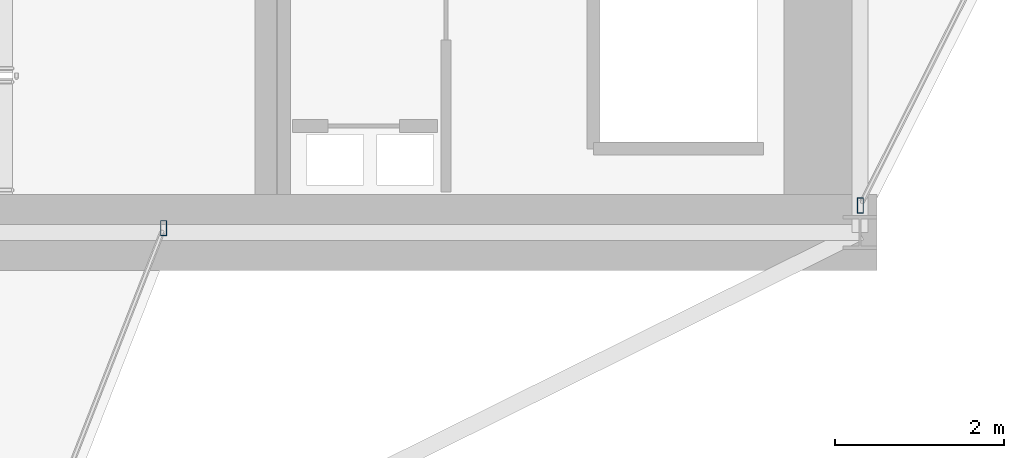
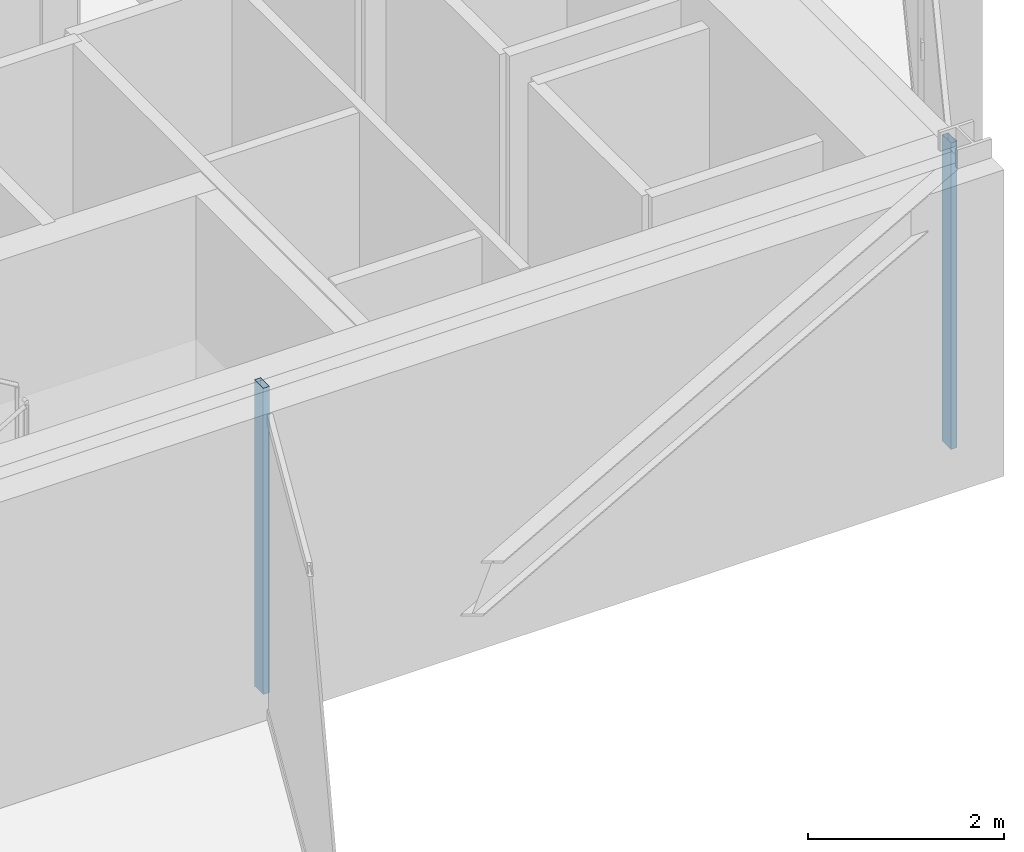
# One storey, part 16 of 30: 2 members, 2 elements without a shape of their own.
"""IFC4 building model written with IfcOpenShell, lengths in metres."""

from ifc_helpers import new_model, si_unit, direction, frame, origin, origin_2d, place, context, subcontext, project, spatial, hollow_rectangle, extrude, material, layer, layer_set, material_profile, profile_set, type_object, element, aggregate, save


model = new_model("IFC4")

# Units and contexts
model_context = context("Model", 3, precision=1e-05, world=origin(), true_north=direction((0.0, 1.0)))
body_context = subcontext(model_context, "Body", "Model", "MODEL_VIEW")
ifc_project = project(units=[si_unit("LENGTHUNIT", "METRE"), si_unit("AREAUNIT", "SQUARE_METRE"), si_unit("VOLUMEUNIT", "CUBIC_METRE"), si_unit("PLANEANGLEUNIT", "RADIAN"), si_unit("MASSUNIT", "GRAM", prefix="KILO")], contexts=[model_context])

# Site, building, storey
site_placement = place(None, origin())
site = spatial("IfcSite", under=ifc_project, at=site_placement, CompositionType="ELEMENT")
building_placement = place(site_placement, origin())
building = spatial("IfcBuilding", under=site, at=building_placement, Name="Veymaron Broadcast Tower", CompositionType="ELEMENT")
storey_placement = place(building_placement, frame((0.0, 0.0, 54.0)))
storey = spatial("IfcBuildingStorey", under=building, at=storey_placement, Name="L11", CompositionType="ELEMENT", Elevation=54.0)

# Curtain wall, member
ifc_material_1 = material(Name="Anodised aluminium AA 6063-T6 and laminated low-E dark glass", Category="aluminium")
ifc_layer = layer(ifc_material_1, 0.179931640625)
ifc_layer_set = layer_set([ifc_layer], Name="Anodised aluminium AA 6063-T6 and laminated low-E dark glass")
curtain_wall_type = type_object("IfcCurtainWallType", Name="CW-SYS-02", PredefinedType="NOTDEFINED", material=ifc_layer_set)
curtain_wall_1_placement = place(storey_placement, origin())
curtain_wall_1 = element("IfcCurtainWall", 1, at=curtain_wall_1_placement, inside=storey, type_object=curtain_wall_type, Name="L11 dark-glass curtain wall CW-L11-E2-1", PredefinedType="NOTDEFINED")
ifc_material_2 = material(Name="Anodised aluminium AA 6063-T6", Category="aluminium")
ifc_material_profile = material_profile(ifc_material_2, hollow_rectangle(XDim=0.074951171875, YDim=0.179931640625, WallThickness=0.0048828125, at=origin_2d()), Name="AL180X75X5")
ifc_profile_set = profile_set([ifc_material_profile], Name="Anodised aluminium AA 6063-T6")
member_type = type_object("IfcMemberType", Name="CW-MUL-02", PredefinedType="MULLION", material=ifc_profile_set)
member_1_placement = place(storey_placement, frame((54.60400390625, 16.318603515625, 0.0), z_axis=(0.0, 0.0, 1.0), x_axis=(1.0, 0.0, 0.0)))
member_1 = element("IfcMember", 2, at=member_1_placement, type_object=member_type, Name="CW-L11-E2-1 mullion 0", PredefinedType="MULLION", context=body_context, shape_type="SweptSolid", body=[
    extrude(hollow_rectangle(XDim=0.074951171875, YDim=0.179931640625, WallThickness=0.0048828125, at=origin_2d()), origin(), (0.0, 0.0, 1.0), 3.81005859375),
])
aggregate(curtain_wall_1, [member_1])

curtain_wall_2_placement = place(storey_placement, origin())
curtain_wall_2 = element("IfcCurtainWall", 3, at=curtain_wall_2_placement, inside=storey, type_object=curtain_wall_type, Name="L11 dark-glass curtain wall CW-L11-E20-1", PredefinedType="NOTDEFINED")
member_2_placement = place(storey_placement, frame((46.356689453125, 16.051025390625, 0.0), z_axis=(0.0, 0.0, 1.0), x_axis=(1.0, 0.0, 0.0)))
member_2 = element("IfcMember", 4, at=member_2_placement, type_object=member_type, Name="CW-L11-E20-1 mullion 2", PredefinedType="MULLION", context=body_context, shape_type="SweptSolid", body=[
    extrude(hollow_rectangle(XDim=0.074951171875, YDim=0.179931640625, WallThickness=0.0048828125, at=origin_2d()), origin(), (0.0, 0.0, 1.0), 3.81005859375),
])
aggregate(curtain_wall_2, [member_2])

save(model, "model.ifc")
